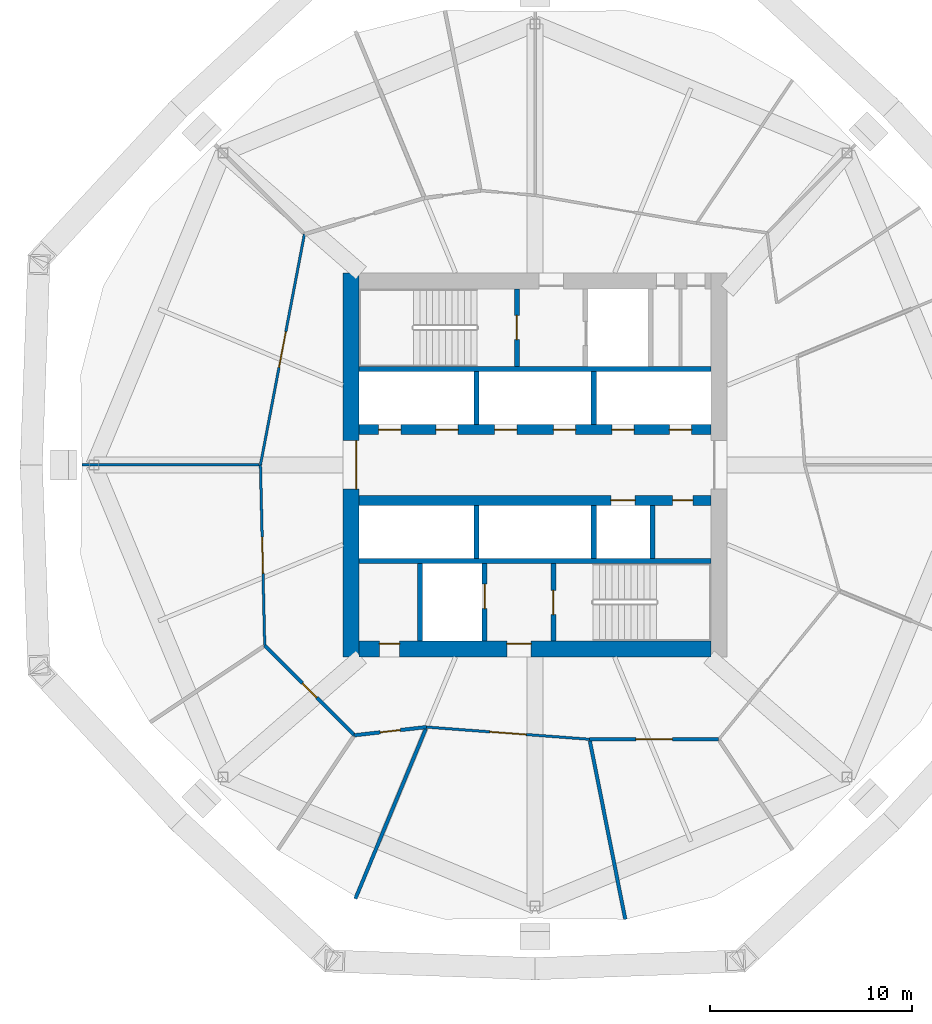
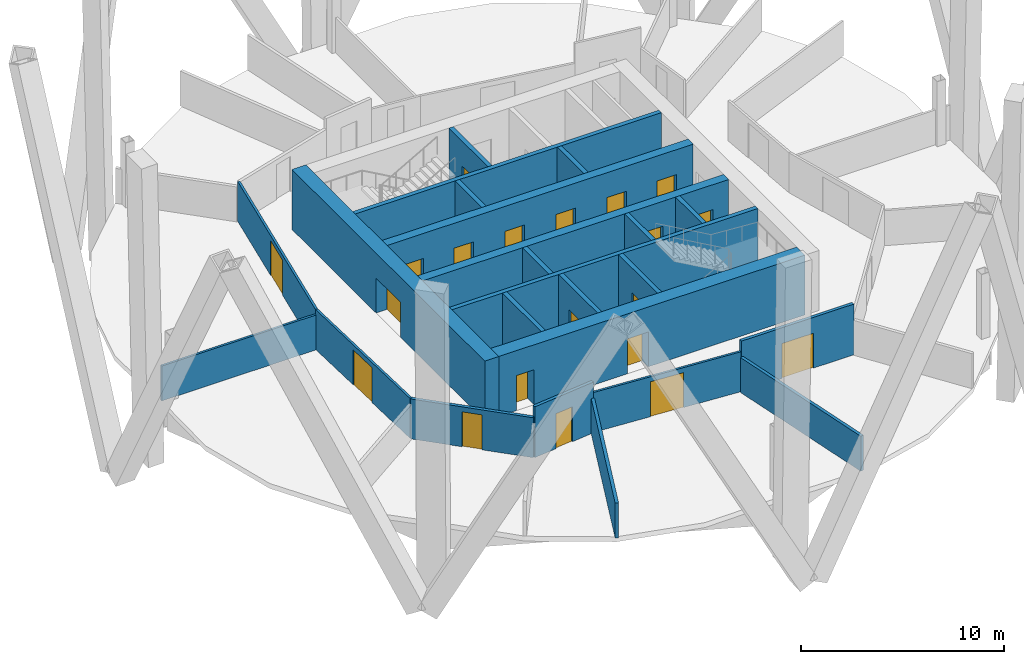
# One storey, part 4 of 10: 24 walls, 20 doors, 20 openings.
"""IFC4 building model written with IfcOpenShell, lengths in metres."""

import ifcopenshell
import ifcopenshell.guid

model = None  # the IFC model being written
_history = None  # IfcOwnerHistory: only IFC2X3 demands one
_inside = {}  # id of a spatial element -> (the spatial element, [elements in it])
_under = {}  # id of a project, library or spatial element -> (it, [spatial elements below it])
_declared = {}  # id of a project -> (the project, [libraries it declares])
_typed = {}  # id of a type object -> (the type object, [elements of that type])
_made_of = {}  # id of a material, layer set ... -> (it, [elements and type objects made of it])


def new_model(schema):
    """Start an empty IFC model of exactly this schema.

    Asked for "IFC4X3", IfcOpenShell would pick the latest addendum, in which some entities
    have other attributes; the version numbers below select the first issue.
    IFC2X3 requires an IfcOwnerHistory on every rooted entity: one is made here for all.
    """
    global model, _history
    if schema == "IFC4X3":
        model = ifcopenshell.file(schema_version=(4, 3, 0, 0))
    else:
        model = ifcopenshell.file(schema=schema)
    _inside.clear()
    _under.clear()
    _declared.clear()
    _typed.clear()
    _made_of.clear()
    _history = None
    if model.schema == "IFC2X3":
        org = make("IfcOrganization", Name="unknown")
        user = make(
            "IfcPersonAndOrganization",
            ThePerson=make("IfcPerson", FamilyName="unknown"),
            TheOrganization=org,
        )
        app = make(
            "IfcApplication",
            ApplicationDeveloper=org,
            Version="unknown",
            ApplicationFullName="unknown",
            ApplicationIdentifier="unknown",
        )
        _history = make(
            "IfcOwnerHistory",
            OwningUser=user,
            OwningApplication=app,
            ChangeAction="ADDED",
            CreationDate=0,
        )
    return model


def make(cls, **values):
    """One entity of the class cls with the attributes given. An attribute that is None is left unset."""
    return model.create_entity(
        cls, **{name: value for name, value in values.items() if value is not None}
    )


def rooted(cls, **values):
    """An entity with a GlobalId (a new one), such as an element, a storey or a relation."""
    return make(cls, GlobalId=ifcopenshell.guid.new(), OwnerHistory=_history, **values)


def si_unit(unit_type, name, prefix=None):
    """IfcSIUnit, for example si_unit("LENGTHUNIT", "METRE", prefix="MILLI")."""
    return make("IfcSIUnit", UnitType=unit_type, Prefix=prefix, Name=name)


def assignment(units):
    """IfcUnitAssignment: the units of a project."""
    return None if units is None else make("IfcUnitAssignment", Units=units)


def point(xyz):
    """IfcCartesianPoint."""
    return None if xyz is None else make("IfcCartesianPoint", Coordinates=xyz)


def direction(xyz):
    """IfcDirection."""
    return None if xyz is None else make("IfcDirection", DirectionRatios=xyz)


def frame(location, z_axis=None, x_axis=None):
    """IfcAxis2Placement3D, a coordinate frame: its origin and axes. An axis left out is left unset."""
    return make(
        "IfcAxis2Placement3D",
        Location=point(location),
        Axis=direction(z_axis),
        RefDirection=direction(x_axis),
    )


def frame_2d(location, x_axis=None):
    """IfcAxis2Placement2D, a coordinate frame in the plane: its origin and x axis."""
    return make(
        "IfcAxis2Placement2D", Location=point(location), RefDirection=direction(x_axis)
    )


def origin():
    """The frame at (0, 0, 0) with its axes left unset."""
    return frame((0.0, 0.0, 0.0))


def place(relative_to, where):
    """IfcLocalPlacement: puts the frame where relative to a parent placement (None: the world)."""
    return make(
        "IfcLocalPlacement", PlacementRelTo=relative_to, RelativePlacement=where
    )


def context(
    kind, dimensions, precision=None, world=None, true_north=None, identifier=None
):
    """IfcGeometricRepresentationContext, for example the 3D "Model" context."""
    return make(
        "IfcGeometricRepresentationContext",
        ContextIdentifier=identifier,
        ContextType=kind,
        CoordinateSpaceDimension=dimensions,
        Precision=precision,
        WorldCoordinateSystem=world,
        TrueNorth=true_north,
    )


def subcontext(parent, identifier, kind, view, scale=None):
    """IfcGeometricRepresentationSubContext, for example "Body" below "Model"."""
    return make(
        "IfcGeometricRepresentationSubContext",
        ContextIdentifier=identifier,
        ContextType=kind,
        ParentContext=parent,
        TargetScale=scale,
        TargetView=view,
    )


def project(units=None, contexts=None):
    """IfcProject with its units and contexts."""
    return rooted(
        "IfcProject",
        Name="project",
        RepresentationContexts=contexts,
        UnitsInContext=assignment(units),
    )


def spatial(cls, under=None, at=None, **own):
    """A site, building, storey or space (cls), placed at a placement, below another one or the project."""
    s = rooted(cls, ObjectPlacement=at, **own)
    if under is not None:
        _under.setdefault(under.id(), (under, []))[1].append(s)
    return s


def profile(cls, at=None, kind="AREA", **sizes):
    """A parametric profile (cls). Its sizes go by their IFC names, for example OverallWidth=200.0."""
    return make(cls, ProfileType=kind, Position=at, **sizes)


def rectangle(**sizes):
    """IfcRectangleProfileDef."""
    return profile("IfcRectangleProfileDef", **sizes)


def extrude(swept, where, along, depth):
    """IfcExtrudedAreaSolid: the profile swept, set in the frame where, extruded along a direction by depth."""
    return make(
        "IfcExtrudedAreaSolid",
        SweptArea=swept,
        Position=where,
        ExtrudedDirection=direction(along),
        Depth=depth,
    )


def shape(context_of_items, identifier, shape_type, items):
    """IfcShapeRepresentation: the items that make up one representation, for example the "Body"."""
    return make(
        "IfcShapeRepresentation",
        ContextOfItems=context_of_items,
        RepresentationIdentifier=identifier,
        RepresentationType=shape_type,
        Items=items,
    )


def material(Name=None, Category=None):
    """IfcMaterial."""
    return make("IfcMaterial", Name=Name, Category=Category)


def layer(
    of_material, thickness, ventilated=None, Name=None, Category=None, Priority=None
):
    """IfcMaterialLayer: one layer of a wall or slab, of a material (None: an air gap)."""
    return make(
        "IfcMaterialLayer",
        Material=of_material,
        LayerThickness=thickness,
        IsVentilated=ventilated,
        Name=Name,
        Category=Category,
        Priority=Priority,
    )


def layer_set(layers, Name=None):
    """IfcMaterialLayerSet."""
    return make("IfcMaterialLayerSet", MaterialLayers=layers, LayerSetName=Name)


def made_of(thing, what):
    """Note that an element or type object is made of a material, layer set ...; save() writes the relation."""
    if what is not None:
        _made_of.setdefault(what.id(), (what, []))[1].append(thing)
    return thing


def type_object(cls, material=None, **own):
    """A type object (cls), such as IfcWallType, which elements share."""
    return made_of(rooted(cls, **own), material)


def element(
    cls,
    number,
    at=None,
    inside=None,
    cuts=None,
    type_object=None,
    material=None,
    context=None,
    identifier="Body",
    shape_type=None,
    held_by="IfcProductDefinitionShape",
    body=None,
    shapes=None,
    **own,
):
    """One element of the class cls, such as IfcWall. Its Tag is "e" and its number.

    at: its placement. inside: the storey or other place that contains it. cuts: it is an
    opening in that element (IfcRelVoidsElement). A single representation is given by context,
    identifier, shape_type and body (its items); several are given by shapes. held_by: the class
    of the entity that holds the representations. save() writes the other relations.
    """
    e = rooted(cls, Tag="e%d" % number, ObjectPlacement=at, **own)
    if body is not None:
        shapes = [shape(context, identifier, shape_type, body)]
    if shapes is not None:
        e.Representation = make(held_by, Representations=shapes)
    if inside is not None:
        _inside.setdefault(inside.id(), (inside, []))[1].append(e)
    if cuts is not None:
        rooted(
            "IfcRelVoidsElement", RelatingBuildingElement=cuts, RelatedOpeningElement=e
        )
    if type_object is not None:
        _typed.setdefault(type_object.id(), (type_object, []))[1].append(e)
    return made_of(e, material)


def fill(opening, filler):
    """IfcRelFillsElement: the door or window that sits in an opening."""
    return rooted(
        "IfcRelFillsElement",
        RelatingOpeningElement=opening,
        RelatedBuildingElement=filler,
    )


def aggregate(whole, parts):
    """IfcRelAggregates: a whole, such as a stair, and the parts it consists of."""
    return rooted("IfcRelAggregates", RelatingObject=whole, RelatedObjects=parts)


def save(model, path):
    """Write the relations noted so far, then the file.

    IfcRelAggregates (storeys below a building ...), IfcRelContainedInSpatialStructure (elements
    in a storey), IfcRelDefinesByType, IfcRelAssociatesMaterial and IfcRelDeclares: one each for
    every whole, place, type object, material and project.
    """
    for whole, parts in _under.values():
        aggregate(whole, parts)
    for where, things in _inside.values():
        rooted(
            "IfcRelContainedInSpatialStructure",
            RelatedElements=things,
            RelatingStructure=where,
        )
    for kind, things in _typed.values():
        rooted("IfcRelDefinesByType", RelatedObjects=things, RelatingType=kind)
    for what, things in _made_of.values():
        rooted("IfcRelAssociatesMaterial", RelatedObjects=things, RelatingMaterial=what)
    for by, libraries in _declared.values():
        rooted("IfcRelDeclares", RelatingContext=by, RelatedDefinitions=libraries)
    model.write(path)


model = new_model("IFC4")

# Units and contexts
model_context = context("Model", 3, precision=1e-05, world=origin(), true_north=direction((0.0, 1.0)))
body_context = subcontext(model_context, "Body", "Model", "MODEL_VIEW")
ifc_project = project(units=[si_unit("LENGTHUNIT", "METRE"), si_unit("AREAUNIT", "SQUARE_METRE"), si_unit("VOLUMEUNIT", "CUBIC_METRE"), si_unit("PLANEANGLEUNIT", "RADIAN"), si_unit("MASSUNIT", "GRAM", prefix="KILO")], contexts=[model_context])

# Site, building, storey
site_placement = place(None, origin())
site = spatial("IfcSite", under=ifc_project, at=site_placement, CompositionType="ELEMENT")
building_placement = place(site_placement, origin())
building = spatial("IfcBuilding", under=site, at=building_placement, Name="Ogive Gate Towers", CompositionType="ELEMENT")
storey_placement = place(building_placement, frame((0.0, 0.0, 36.300048828125)))
storey = spatial("IfcBuildingStorey", under=building, at=storey_placement, Name="L07", CompositionType="ELEMENT", Elevation=36.300048828125)

# Walls
ifc_material_1 = material(Name="Gypsum board acoustic partition")
ifc_layer_1 = layer(ifc_material_1, 0.175048828125)
ifc_layer_set_1 = layer_set([ifc_layer_1], Name="Acoustic partition 175")
wall_type_1 = type_object("IfcWallType", Name="Acoustic partition 175", PredefinedType="PARTITIONING", material=ifc_layer_set_1)
wall_1_placement = place(storey_placement, frame((-44.885986328125, -21.452880859375, 0.0), z_axis=(0.0, 0.0, 1.0), x_axis=(0.382679495808, 0.923881163077, 0.0)))
element("IfcWall", 1, at=wall_1_placement, inside=storey, type_object=wall_type_1, Name="Partition T1-L07-013", PredefinedType="PARTITIONING", context=body_context, shape_type="SweptSolid", body=[
    extrude(rectangle(XDim=9.10205078125, YDim=0.175048828125, at=frame_2d((4.551025390625, 0.0))), origin(), (0.0, 0.0, 1.0), 2.099853515625),
])
wall_2_placement = place(storey_placement, frame((-31.538330078125, -22.470947265625, 0.0), z_axis=(0.0, 0.0, 1.0), x_axis=(-0.194737431918, 0.980855408615, 0.0)))
element("IfcWall", 2, at=wall_2_placement, inside=storey, type_object=wall_type_1, Name="Partition T1-L07-014", PredefinedType="PARTITIONING", context=body_context, shape_type="SweptSolid", body=[
    extrude(rectangle(XDim=8.991455078125, YDim=0.175048828125, at=frame_2d((4.49560546875, 0.0))), origin(), (0.0, 0.0, 1.0), 2.099853515625),
])

# Wall, opening, door
wall_3_placement = place(storey_placement, frame((-49.367431640625, -8.9384765625, 0.0), z_axis=(0.0, 0.0, 1.0), x_axis=(0.707106781187, -0.707106781187, 0.0)))
wall_3 = element("IfcWall", 3, at=wall_3_placement, inside=storey, type_object=wall_type_1, Name="Partition T1-L07-025", PredefinedType="PARTITIONING", context=body_context, shape_type="SweptSolid", body=[
    extrude(rectangle(XDim=6.263427734375, YDim=0.175048828125, at=frame_2d((3.1318359375, 0.0))), origin(), (0.0, 0.0, 1.0), 2.39990234375),
])
opening_1_placement = place(wall_3_placement, frame((2.632080078125, 0.0, 0.0)))
opening_1 = element("IfcOpeningElement", 4, at=opening_1_placement, cuts=wall_3, Name="Opening T1-L07-D09", PredefinedType="OPENING", context=body_context, shape_type="SweptSolid", body=[
    extrude(rectangle(XDim=1.0, YDim=2.10009765625, at=frame_2d((0.5, 1.050048828125))), frame((0.0, 0.09765625, 0.0), z_axis=(0.0, -1.0, 0.0), x_axis=(1.0, 0.0, 0.0)), (0.0, 0.0, 1.0), 0.195068359375),
])
ifc_material_2 = material(Name="Timber door", Category="wood")
door_type_1 = type_object("IfcDoorType", Name="Door 1000", OperationType="NOTDEFINED", PredefinedType="DOOR", material=ifc_material_2)
door_1_placement = place(opening_1_placement, origin())
door_1 = element("IfcDoor", 5, at=door_1_placement, inside=storey, type_object=door_type_1, Name="Door T1-L07-D09", OperationType="SINGLE_SWING_RIGHT", OverallHeight=2.10009765625, OverallWidth=1.0, PredefinedType="DOOR", context=body_context, shape_type="SweptSolid", body=[
    extrude(rectangle(XDim=1.0, YDim=2.10009765625, at=frame_2d((0.5, 1.050048828125))), frame((0.0, 0.02490234375, 0.0), z_axis=(0.0, -1.0, 0.0), x_axis=(1.0, 0.0, 0.0)), (0.0, 0.0, 1.0), 0.050048828125),
])
fill(opening_1, door_1)

wall_4_placement = place(storey_placement, frame((-44.9384765625, -13.367431640625, 0.0), z_axis=(0.0, 0.0, 1.0), x_axis=(0.993637621277, 0.11262449815, 0.0)))
wall_4 = element("IfcWall", 6, at=wall_4_placement, inside=storey, type_object=wall_type_1, Name="Partition T1-L07-026", PredefinedType="PARTITIONING", context=body_context, shape_type="SweptSolid", body=[
    extrude(rectangle(XDim=3.592041015625, YDim=0.175048828125, at=frame_2d((1.7958984375, 0.0))), origin(), (0.0, 0.0, 1.0), 3.050048828125),
])
opening_2_placement = place(wall_4_placement, frame((1.2958984375, 0.0, 0.0)))
opening_2 = element("IfcOpeningElement", 7, at=opening_2_placement, cuts=wall_4, Name="Opening T1-L07-D10", PredefinedType="OPENING", context=body_context, shape_type="SweptSolid", body=[
    extrude(rectangle(XDim=1.0, YDim=2.10009765625, at=frame_2d((0.5, 1.050048828125))), frame((0.0, 0.09765625, 0.0), z_axis=(0.0, -1.0, 0.0), x_axis=(1.0, 0.0, 0.0)), (0.0, 0.0, 1.0), 0.195068359375),
])
door_2_placement = place(opening_2_placement, origin())
door_2 = element("IfcDoor", 8, at=door_2_placement, inside=storey, type_object=door_type_1, Name="Door T1-L07-D10", OperationType="SINGLE_SWING_LEFT", OverallHeight=2.10009765625, OverallWidth=1.0, PredefinedType="DOOR", context=body_context, shape_type="SweptSolid", body=[
    extrude(rectangle(XDim=1.0, YDim=2.10009765625, at=frame_2d((0.5, 1.050048828125))), frame((0.0, 0.02490234375, 0.0), z_axis=(0.0, -1.0, 0.0), x_axis=(1.0, 0.0, 0.0)), (0.0, 0.0, 1.0), 0.050048828125),
])
fill(opening_2, door_2)

wall_5_placement = place(storey_placement, frame((-33.306396484375, -13.56591796875, 0.0), z_axis=(0.0, 0.0, 1.0), x_axis=(0.999998944011, -0.00145326449, 0.0)))
wall_5 = element("IfcWall", 9, at=wall_5_placement, inside=storey, type_object=wall_type_1, Name="Partition T1-L07-028", PredefinedType="PARTITIONING", context=body_context, shape_type="SweptSolid", body=[
    extrude(rectangle(XDim=6.3837890625, YDim=0.175048828125, at=frame_2d((3.19189453125, 0.0))), origin(), (0.0, 0.0, 1.0), 3.050048828125),
])
opening_3_placement = place(wall_5_placement, frame((2.2919921875, 0.0, 0.0)))
opening_3 = element("IfcOpeningElement", 10, at=opening_3_placement, cuts=wall_5, Name="Opening T1-L07-D12", PredefinedType="OPENING", context=body_context, shape_type="SweptSolid", body=[
    extrude(rectangle(XDim=1.800048828125, YDim=2.10009765625, at=frame_2d((0.89990234375, 1.050048828125))), frame((0.0, 0.09765625, 0.0), z_axis=(0.0, -1.0, 0.0), x_axis=(1.0, 0.0, 0.0)), (0.0, 0.0, 1.0), 0.195068359375),
])
door_type_2 = type_object("IfcDoorType", Name="Door pair 1800", OperationType="NOTDEFINED", PredefinedType="DOOR", material=ifc_material_2)
door_3_placement = place(opening_3_placement, origin())
door_3 = element("IfcDoor", 11, at=door_3_placement, inside=storey, type_object=door_type_2, Name="Door T1-L07-D12", OperationType="DOUBLE_DOOR_DOUBLE_SWING", OverallHeight=2.10009765625, OverallWidth=1.800048828125, PredefinedType="DOOR", context=body_context, shape_type="SweptSolid", body=[
    extrude(rectangle(XDim=1.800048828125, YDim=2.10009765625, at=frame_2d((0.89990234375, 1.050048828125))), frame((0.0, 0.02490234375, 0.0), z_axis=(0.0, -1.0, 0.0), x_axis=(1.0, 0.0, 0.0)), (0.0, 0.0, 1.0), 0.050048828125),
])
fill(opening_3, door_3)

# Wall, openings, doors
ifc_material_3 = material(Name="Concrete C60/75", Category="concrete")
ifc_layer_2 = layer(ifc_material_3, 0.800048828125)
ifc_layer_set_2 = layer_set([ifc_layer_2], Name="Core wall 800 mm")
wall_type_2 = type_object("IfcWallType", Name="Core wall 800 mm", PredefinedType="SHEAR", material=ifc_layer_set_2)
wall_6_placement = place(storey_placement, frame((-44.699951171875, -9.10009765625, 0.0), z_axis=(0.0, 0.0, 1.0), x_axis=(1.0, 0.0, 0.0)))
wall_6 = element("IfcWall", 12, at=wall_6_placement, inside=storey, type_object=wall_type_2, Name="T1 L07 Core wall 800 mm", PredefinedType="SHEAR", context=body_context, shape_type="SweptSolid", body=[
    extrude(rectangle(XDim=17.39990234375, YDim=0.800048828125, at=frame_2d((8.699951171875, 0.0))), origin(), (0.0, 0.0, 1.0), 3.599853515625),
])
opening_4_placement = place(wall_6_placement, frame((7.300048828125, 0.0, 0.0)))
opening_4 = element("IfcOpeningElement", 13, at=opening_4_placement, cuts=wall_6, Name="Opening KD-T1-L07-16", PredefinedType="OPENING", context=body_context, shape_type="SweptSolid", body=[
    extrude(rectangle(XDim=1.199951171875, YDim=2.10009765625, at=frame_2d((0.60009765625, 1.050048828125))), frame((0.0, 0.41015625, 0.0), z_axis=(0.0, -1.0, 0.0), x_axis=(1.0, 0.0, 0.0)), (0.0, 0.0, 1.0), 0.820068359375),
])
opening_5_placement = place(wall_6_placement, frame((1.0, 0.0, 0.0)))
opening_5 = element("IfcOpeningElement", 14, at=opening_5_placement, cuts=wall_6, Name="Opening KD-T1-L07-19", PredefinedType="OPENING", context=body_context, shape_type="SweptSolid", body=[
    extrude(rectangle(XDim=1.0, YDim=2.10009765625, at=frame_2d((0.5, 1.050048828125))), frame((0.0, 0.41015625, 0.0), z_axis=(0.0, -1.0, 0.0), x_axis=(1.0, 0.0, 0.0)), (0.0, 0.0, 1.0), 0.820068359375),
])
door_type_3 = type_object("IfcDoorType", Name="Accessible WC door 1000 x 2100", OperationType="NOTDEFINED", PredefinedType="DOOR", material=ifc_material_2)
door_4_placement = place(opening_5_placement, origin())
door_4 = element("IfcDoor", 15, at=door_4_placement, inside=storey, type_object=door_type_3, Name="T1 L07 Core door", OperationType="SINGLE_SWING_RIGHT", OverallHeight=2.10009765625, OverallWidth=1.0, PredefinedType="DOOR", context=body_context, shape_type="SweptSolid", body=[
    extrude(rectangle(XDim=1.0, YDim=2.10009765625, at=frame_2d((0.5, 1.050048828125))), frame((0.0, 0.27490234375, 0.0), z_axis=(0.0, -1.0, 0.0), x_axis=(1.0, 0.0, 0.0)), (0.0, 0.0, 1.0), 0.050048828125),
])
fill(opening_5, door_4)
ifc_material_4 = material(Name="Steel fire door", Category="steel")
door_type_4 = type_object("IfcDoorType", Name="Core door FD60S 1200 x 2100", OperationType="NOTDEFINED", PredefinedType="DOOR", material=ifc_material_4)
door_5_placement = place(opening_4_placement, origin())
door_5 = element("IfcDoor", 16, at=door_5_placement, inside=storey, type_object=door_type_4, Name="T1 L07 Fire-fighting lobby door", OperationType="SINGLE_SWING_LEFT", OverallHeight=2.10009765625, OverallWidth=1.199951171875, PredefinedType="DOOR", context=body_context, shape_type="SweptSolid", body=[
    extrude(rectangle(XDim=1.199951171875, YDim=2.10009765625, at=frame_2d((0.60009765625, 1.050048828125))), frame((0.0, 0.27490234375, 0.0), z_axis=(0.0, -1.0, 0.0), x_axis=(1.0, 0.0, 0.0)), (0.0, 0.0, 1.0), 0.050048828125),
])
fill(opening_4, door_5)

# Wall, opening, door
wall_7_placement = place(storey_placement, frame((-45.10009765625, -9.5, 0.0), z_axis=(0.0, 0.0, 1.0), x_axis=(0.0, 1.0, 0.0)))
wall_7 = element("IfcWall", 17, at=wall_7_placement, inside=storey, type_object=wall_type_2, Name="T1 L07 Core wall 800 mm", PredefinedType="SHEAR", context=body_context, shape_type="SweptSolid", body=[
    extrude(rectangle(XDim=19.0, YDim=0.800048828125, at=frame_2d((9.5, 0.0))), origin(), (0.0, 0.0, 1.0), 3.599853515625),
])
opening_6_placement = place(wall_7_placement, frame((8.300048828125, 0.0, 0.0)))
opening_6 = element("IfcOpeningElement", 18, at=opening_6_placement, cuts=wall_7, Name="Opening KD-T1-L07-01", PredefinedType="OPENING", context=body_context, shape_type="SweptSolid", body=[
    extrude(rectangle(XDim=2.39990234375, YDim=2.10009765625, at=frame_2d((1.199951171875, 1.050048828125))), frame((0.0, 0.41015625, 0.0), z_axis=(0.0, -1.0, 0.0), x_axis=(1.0, 0.0, 0.0)), (0.0, 0.0, 1.0), 0.820068359375),
])
door_type_5 = type_object("IfcDoorType", Name="Core double door FD60S 2400 x 2100", OperationType="DOUBLE_DOOR_SINGLE_SWING", PredefinedType="DOOR", material=ifc_material_4)
door_6_placement = place(opening_6_placement, origin())
door_6 = element("IfcDoor", 19, at=door_6_placement, inside=storey, type_object=door_type_5, Name="T1 L07 Core door double", OperationType="DOUBLE_DOOR_SINGLE_SWING", OverallHeight=2.10009765625, OverallWidth=2.39990234375, PredefinedType="DOOR", context=body_context, shape_type="SweptSolid", body=[
    extrude(rectangle(XDim=2.39990234375, YDim=2.10009765625, at=frame_2d((1.199951171875, 1.050048828125))), frame((0.0, -0.22509765625, 0.0), z_axis=(0.0, -1.0, 0.0), x_axis=(1.0, 0.0, 0.0)), (0.0, 0.0, 1.0), 0.050048828125),
])
fill(opening_6, door_6)

# Wall
ifc_material_5 = material(Name="Gypsum board partition")
ifc_layer_3 = layer(ifc_material_5, 0.125)
ifc_layer_set_3 = layer_set([ifc_layer_3], Name="Partition 125")
wall_type_3 = type_object("IfcWallType", Name="Partition 125", PredefinedType="PARTITIONING", material=ifc_layer_set_3)
wall_8_placement = place(storey_placement, frame((-58.408935546875, 0.0, 0.0), z_axis=(0.0, 0.0, 1.0), x_axis=(1.0, 0.0, 0.0)))
element("IfcWall", 20, at=wall_8_placement, inside=storey, type_object=wall_type_3, Name="Partition T1-L07-010", PredefinedType="PARTITIONING", context=body_context, shape_type="SweptSolid", body=[
    extrude(rectangle(XDim=8.766357421875, YDim=0.125, at=frame_2d((4.38330078125, 0.0))), origin(), (0.0, 0.0, 1.0), 2.099853515625),
])

# Wall, opening, door
wall_9_placement = place(storey_placement, frame((-47.40576171875, 11.40576171875, 0.0), z_axis=(0.0, 0.0, 1.0), x_axis=(-0.187260900708, -0.982310213256, 0.0)))
wall_9 = element("IfcWall", 21, at=wall_9_placement, inside=storey, type_object=wall_type_3, Name="Partition T1-L07-023", PredefinedType="PARTITIONING", context=body_context, shape_type="SweptSolid", body=[
    extrude(rectangle(XDim=11.611083984375, YDim=0.125, at=frame_2d((5.8056640625, 0.0))), origin(), (0.0, 0.0, 1.0), 2.39990234375),
])
opening_7_placement = place(wall_9_placement, frame((4.906005859375, 0.0, 0.0)))
opening_7 = element("IfcOpeningElement", 22, at=opening_7_placement, cuts=wall_9, Name="Opening T1-L07-D07", PredefinedType="OPENING", context=body_context, shape_type="SweptSolid", body=[
    extrude(rectangle(XDim=1.800048828125, YDim=2.10009765625, at=frame_2d((0.89990234375, 1.050048828125))), frame((0.0, 0.072509765625, 0.0), z_axis=(0.0, -1.0, 0.0), x_axis=(1.0, 0.0, 0.0)), (0.0, 0.0, 1.0), 0.14501953125),
])
door_7_placement = place(opening_7_placement, origin())
door_7 = element("IfcDoor", 23, at=door_7_placement, inside=storey, type_object=door_type_2, Name="Door T1-L07-D07", OperationType="DOUBLE_DOOR_DOUBLE_SWING", OverallHeight=2.10009765625, OverallWidth=1.800048828125, PredefinedType="DOOR", context=body_context, shape_type="SweptSolid", body=[
    extrude(rectangle(XDim=1.800048828125, YDim=2.10009765625, at=frame_2d((0.89990234375, 1.050048828125))), frame((0.0, 0.02490234375, 0.0), z_axis=(0.0, -1.0, 0.0), x_axis=(1.0, 0.0, 0.0)), (0.0, 0.0, 1.0), 0.050048828125),
])
fill(opening_7, door_7)

wall_10_placement = place(storey_placement, frame((-49.580078125, 0.0, 0.0), z_axis=(0.0, 0.0, 1.0), x_axis=(0.023783284904, -0.999717137674, 0.0)))
wall_10 = element("IfcWall", 24, at=wall_10_placement, inside=storey, type_object=wall_type_3, Name="Partition T1-L07-024", PredefinedType="PARTITIONING", context=body_context, shape_type="SweptSolid", body=[
    extrude(rectangle(XDim=8.94091796875, YDim=0.125, at=frame_2d((4.470458984375, 0.0))), origin(), (0.0, 0.0, 1.0), 2.39990234375),
])
opening_8_placement = place(wall_10_placement, frame((3.570068359375, 0.0, 0.0)))
opening_8 = element("IfcOpeningElement", 25, at=opening_8_placement, cuts=wall_10, Name="Opening T1-L07-D08", PredefinedType="OPENING", context=body_context, shape_type="SweptSolid", body=[
    extrude(rectangle(XDim=1.800048828125, YDim=2.10009765625, at=frame_2d((0.89990234375, 1.050048828125))), frame((0.0, 0.072509765625, 0.0), z_axis=(0.0, -1.0, 0.0), x_axis=(1.0, 0.0, 0.0)), (0.0, 0.0, 1.0), 0.14501953125),
])
door_8_placement = place(opening_8_placement, origin())
door_8 = element("IfcDoor", 26, at=door_8_placement, inside=storey, type_object=door_type_2, Name="Door T1-L07-D08", OperationType="DOUBLE_DOOR_DOUBLE_SWING", OverallHeight=2.10009765625, OverallWidth=1.800048828125, PredefinedType="DOOR", context=body_context, shape_type="SweptSolid", body=[
    extrude(rectangle(XDim=1.800048828125, YDim=2.10009765625, at=frame_2d((0.89990234375, 1.050048828125))), frame((0.0, 0.02490234375, 0.0), z_axis=(0.0, -1.0, 0.0), x_axis=(1.0, 0.0, 0.0)), (0.0, 0.0, 1.0), 0.050048828125),
])
fill(opening_8, door_8)

wall_11_placement = place(storey_placement, frame((-41.369384765625, -12.962890625, 0.0), z_axis=(0.0, 0.0, 1.0), x_axis=(0.997214939079, -0.074581266261, 0.0)))
wall_11 = element("IfcWall", 27, at=wall_11_placement, inside=storey, type_object=wall_type_3, Name="Partition T1-L07-027", PredefinedType="PARTITIONING", context=body_context, shape_type="SweptSolid", body=[
    extrude(rectangle(XDim=8.08544921875, YDim=0.125, at=frame_2d((4.042724609375, 0.0))), origin(), (0.0, 0.0, 1.0), 2.39990234375),
])
opening_9_placement = place(wall_11_placement, frame((3.14306640625, 0.0, 0.0)))
opening_9 = element("IfcOpeningElement", 28, at=opening_9_placement, cuts=wall_11, Name="Opening T1-L07-D11", PredefinedType="OPENING", context=body_context, shape_type="SweptSolid", body=[
    extrude(rectangle(XDim=1.800048828125, YDim=2.10009765625, at=frame_2d((0.89990234375, 1.050048828125))), frame((0.0, 0.072509765625, 0.0), z_axis=(0.0, -1.0, 0.0), x_axis=(1.0, 0.0, 0.0)), (0.0, 0.0, 1.0), 0.14501953125),
])
door_9_placement = place(opening_9_placement, origin())
door_9 = element("IfcDoor", 29, at=door_9_placement, inside=storey, type_object=door_type_2, Name="Door T1-L07-D11", OperationType="DOUBLE_DOOR_DOUBLE_SWING", OverallHeight=2.10009765625, OverallWidth=1.800048828125, PredefinedType="DOOR", context=body_context, shape_type="SweptSolid", body=[
    extrude(rectangle(XDim=1.800048828125, YDim=2.10009765625, at=frame_2d((0.89990234375, 1.050048828125))), frame((0.0, 0.02490234375, 0.0), z_axis=(0.0, -1.0, 0.0), x_axis=(1.0, 0.0, 0.0)), (0.0, 0.0, 1.0), 0.050048828125),
])
fill(opening_9, door_9)

# Walls
ifc_layer_4 = layer(ifc_material_3, 0.25)
ifc_layer_set_4 = layer_set([ifc_layer_4], Name="Shaft wall 250 mm")
wall_type_4 = type_object("IfcWallType", Name="Shaft wall 250 mm", PredefinedType="SHEAR", material=ifc_layer_set_4)
for number, where, z_axis, x_axis, name in (
    (30, (-44.699951171875, -4.75, 0.0), (0.0, 0.0, 1.0), (1.0, 0.0, 0.0), "T1 L07 Shaft wall 250 mm"),
    (31, (-44.699951171875, 4.75, 0.0), (0.0, 0.0, 1.0), (1.0, 0.0, 0.0), "T1 L07 Shaft wall 250 mm"),
):
    element("IfcWall", number, at=place(storey_placement, frame(where, z_axis=z_axis, x_axis=x_axis)), inside=storey, type_object=wall_type_4, Name=name, PredefinedType="SHEAR", context=body_context, shape_type="SweptSolid", body=[
        extrude(rectangle(XDim=17.39990234375, YDim=0.25, at=frame_2d((8.699951171875, 0.0))), origin(), (0.0, 0.0, 1.0), 3.599853515625),
    ])
wall_12_placement = place(storey_placement, frame((-41.699951171875, -8.699951171875, 0.0), z_axis=(0.0, 0.0, 1.0), x_axis=(0.0, 1.0, 0.0)))
element("IfcWall", 32, at=wall_12_placement, inside=storey, type_object=wall_type_4, Name="T1 L07 Shaft wall 250 mm", PredefinedType="SHEAR", context=body_context, shape_type="SweptSolid", body=[
    extrude(rectangle(XDim=3.824951171875, YDim=0.25, at=frame_2d((1.91259765625, 0.0))), origin(), (0.0, 0.0, 1.0), 3.599853515625),
])
for number, where, z_axis, x_axis, name in (
    (33, (-38.89990234375, -4.625, 0.0), (0.0, 0.0, 1.0), (0.0, 1.0, 0.0), "T1 L07 Shaft wall 250 mm"),
    (34, (-38.89990234375, 2.0, 0.0), (0.0, 0.0, 1.0), (0.0, 1.0, 0.0), "T1 L07 Shaft wall 250 mm"),
):
    element("IfcWall", number, at=place(storey_placement, frame(where, z_axis=z_axis, x_axis=x_axis)), inside=storey, type_object=wall_type_4, Name=name, PredefinedType="SHEAR", context=body_context, shape_type="SweptSolid", body=[
        extrude(rectangle(XDim=2.625, YDim=0.25, at=frame_2d((1.3125, 0.0))), origin(), (0.0, 0.0, 1.0), 3.599853515625),
    ])

# Wall, opening, door
wall_13_placement = place(storey_placement, frame((-38.5, -8.699951171875, 0.0), z_axis=(0.0, 0.0, 1.0), x_axis=(0.0, 1.0, 0.0)))
wall_13 = element("IfcWall", 35, at=wall_13_placement, inside=storey, type_object=wall_type_4, Name="T1 L07 Shaft wall 250 mm", PredefinedType="SHEAR", context=body_context, shape_type="SweptSolid", body=[
    extrude(rectangle(XDim=3.824951171875, YDim=0.25, at=frame_2d((1.91259765625, 0.0))), origin(), (0.0, 0.0, 1.0), 3.599853515625),
])
opening_10_placement = place(wall_13_placement, frame((1.60009765625, 0.0, 0.0)))
opening_10 = element("IfcOpeningElement", 36, at=opening_10_placement, cuts=wall_13, Name="Opening LD-T1-L07-11", PredefinedType="OPENING", context=body_context, shape_type="SweptSolid", body=[
    extrude(rectangle(XDim=1.199951171875, YDim=2.10009765625, at=frame_2d((0.60009765625, 1.050048828125))), frame((0.0, 0.135009765625, 0.0), z_axis=(0.0, -1.0, 0.0), x_axis=(1.0, 0.0, 0.0)), (0.0, 0.0, 1.0), 0.27001953125),
])
ifc_material_6 = material(Name="Stainless steel landing door", Category="steel")
door_type_6 = type_object("IfcDoorType", Name="Landing door 1200 x 2100", OperationType="SLIDING_TO_LEFT", PredefinedType="DOOR", material=ifc_material_6)
door_10_placement = place(opening_10_placement, origin())
door_10 = element("IfcDoor", 37, at=door_10_placement, inside=storey, type_object=door_type_6, Name="T1 L07 Lift landing door FF2", OperationType="SLIDING_TO_LEFT", OverallHeight=2.10009765625, OverallWidth=1.199951171875, PredefinedType="DOOR", context=body_context, shape_type="SweptSolid", body=[
    extrude(rectangle(XDim=1.199951171875, YDim=2.10009765625, at=frame_2d((0.60009765625, 1.050048828125))), frame((0.0, 0.02490234375, 0.0), z_axis=(0.0, -1.0, 0.0), x_axis=(1.0, 0.0, 0.0)), (0.0, 0.0, 1.0), 0.050048828125),
])
fill(opening_10, door_10)

wall_14_placement = place(storey_placement, frame((-36.89990234375, 4.875, 0.0), z_axis=(0.0, 0.0, 1.0), x_axis=(0.0, 1.0, 0.0)))
wall_14 = element("IfcWall", 38, at=wall_14_placement, inside=storey, type_object=wall_type_4, Name="T1 L07 Shaft wall 250 mm", PredefinedType="SHEAR", context=body_context, shape_type="SweptSolid", body=[
    extrude(rectangle(XDim=3.824951171875, YDim=0.25, at=frame_2d((1.91259765625, 0.0))), origin(), (0.0, 0.0, 1.0), 3.599853515625),
])
opening_11_placement = place(wall_14_placement, frame((1.324951171875, 0.0, 0.0)))
opening_11 = element("IfcOpeningElement", 39, at=opening_11_placement, cuts=wall_14, Name="Opening KD-T1-L07-13", PredefinedType="OPENING", context=body_context, shape_type="SweptSolid", body=[
    extrude(rectangle(XDim=1.199951171875, YDim=2.10009765625, at=frame_2d((0.60009765625, 1.050048828125))), frame((0.0, 0.135009765625, 0.0), z_axis=(0.0, -1.0, 0.0), x_axis=(1.0, 0.0, 0.0)), (0.0, 0.0, 1.0), 0.27001953125),
])
door_11_placement = place(opening_11_placement, origin())
door_11 = element("IfcDoor", 40, at=door_11_placement, inside=storey, type_object=door_type_4, Name="T1 L07 Stair door", OperationType="SINGLE_SWING_RIGHT", OverallHeight=2.10009765625, OverallWidth=1.199951171875, PredefinedType="DOOR", context=body_context, shape_type="SweptSolid", body=[
    extrude(rectangle(XDim=1.199951171875, YDim=2.10009765625, at=frame_2d((0.60009765625, 1.050048828125))), frame((0.0, 0.02490234375, 0.0), z_axis=(0.0, -1.0, 0.0), x_axis=(1.0, 0.0, 0.0)), (0.0, 0.0, 1.0), 0.050048828125),
])
fill(opening_11, door_11)

wall_15_placement = place(storey_placement, frame((-35.10009765625, -8.699951171875, 0.0), z_axis=(0.0, 0.0, 1.0), x_axis=(0.0, 1.0, 0.0)))
wall_15 = element("IfcWall", 41, at=wall_15_placement, inside=storey, type_object=wall_type_4, Name="T1 L07 Shaft wall 250 mm", PredefinedType="SHEAR", context=body_context, shape_type="SweptSolid", body=[
    extrude(rectangle(XDim=3.824951171875, YDim=0.25, at=frame_2d((1.91259765625, 0.0))), origin(), (0.0, 0.0, 1.0), 3.599853515625),
])
opening_12_placement = place(wall_15_placement, frame((1.300048828125, 0.0, 0.0)))
opening_12 = element("IfcOpeningElement", 42, at=opening_12_placement, cuts=wall_15, Name="Opening KD-T1-L07-14", PredefinedType="OPENING", context=body_context, shape_type="SweptSolid", body=[
    extrude(rectangle(XDim=1.199951171875, YDim=2.10009765625, at=frame_2d((0.60009765625, 1.050048828125))), frame((0.0, 0.135009765625, 0.0), z_axis=(0.0, -1.0, 0.0), x_axis=(1.0, 0.0, 0.0)), (0.0, 0.0, 1.0), 0.27001953125),
])
door_12_placement = place(opening_12_placement, origin())
door_12 = element("IfcDoor", 43, at=door_12_placement, inside=storey, type_object=door_type_4, Name="T1 L07 Stair door", OperationType="SINGLE_SWING_LEFT", OverallHeight=2.10009765625, OverallWidth=1.199951171875, PredefinedType="DOOR", context=body_context, shape_type="SweptSolid", body=[
    extrude(rectangle(XDim=1.199951171875, YDim=2.10009765625, at=frame_2d((0.60009765625, 1.050048828125))), frame((0.0, 0.02490234375, 0.0), z_axis=(0.0, -1.0, 0.0), x_axis=(1.0, 0.0, 0.0)), (0.0, 0.0, 1.0), 0.050048828125),
])
fill(opening_12, door_12)

# Walls
for number, where, z_axis, x_axis, name in (
    (44, (-33.10009765625, -4.625, 0.0), (0.0, 0.0, 1.0), (0.0, 1.0, 0.0), "T1 L07 Shaft wall 250 mm"),
    (45, (-33.10009765625, 2.0, 0.0), (0.0, 0.0, 1.0), (0.0, 1.0, 0.0), "T1 L07 Shaft wall 250 mm"),
    (46, (-30.199951171875, -4.625, 0.0), (0.0, 0.0, 1.0), (0.0, 1.0, 0.0), "T1 L07 Shaft wall 250 mm"),
):
    element("IfcWall", number, at=place(storey_placement, frame(where, z_axis=z_axis, x_axis=x_axis)), inside=storey, type_object=wall_type_4, Name=name, PredefinedType="SHEAR", context=body_context, shape_type="SweptSolid", body=[
        extrude(rectangle(XDim=2.625, YDim=0.25, at=frame_2d((1.3125, 0.0))), origin(), (0.0, 0.0, 1.0), 3.599853515625),
    ])

# Wall, openings, doors
ifc_layer_5 = layer(ifc_material_3, 0.5)
ifc_layer_set_5 = layer_set([ifc_layer_5], Name="Spine wall 500 mm")
wall_type_5 = type_object("IfcWallType", Name="Spine wall 500 mm", PredefinedType="SHEAR", material=ifc_layer_set_5)
wall_16_placement = place(storey_placement, frame((-44.699951171875, -1.75, 0.0), z_axis=(0.0, 0.0, 1.0), x_axis=(1.0, 0.0, 0.0)))
wall_16 = element("IfcWall", 47, at=wall_16_placement, inside=storey, type_object=wall_type_5, Name="T1 L07 Spine wall 500 mm", PredefinedType="SHEAR", context=body_context, shape_type="SweptSolid", body=[
    extrude(rectangle(XDim=17.39990234375, YDim=0.5, at=frame_2d((8.699951171875, 0.0))), origin(), (0.0, 0.0, 1.0), 3.599853515625),
])
opening_13_placement = place(wall_16_placement, frame((12.449951171875, 0.0, 0.0)))
opening_13 = element("IfcOpeningElement", 48, at=opening_13_placement, cuts=wall_16, Name="Opening LD-T1-L07-09", PredefinedType="OPENING", context=body_context, shape_type="SweptSolid", body=[
    extrude(rectangle(XDim=1.199951171875, YDim=2.10009765625, at=frame_2d((0.60009765625, 1.050048828125))), frame((0.0, 0.260009765625, 0.0), z_axis=(0.0, -1.0, 0.0), x_axis=(1.0, 0.0, 0.0)), (0.0, 0.0, 1.0), 0.52001953125),
])
opening_14_placement = place(wall_16_placement, frame((15.5, 0.0, 0.0)))
opening_14 = element("IfcOpeningElement", 49, at=opening_14_placement, cuts=wall_16, Name="Opening KD-T1-L07-12", PredefinedType="OPENING", context=body_context, shape_type="SweptSolid", body=[
    extrude(rectangle(XDim=1.0, YDim=2.10009765625, at=frame_2d((0.5, 1.050048828125))), frame((0.0, 0.260009765625, 0.0), z_axis=(0.0, -1.0, 0.0), x_axis=(1.0, 0.0, 0.0)), (0.0, 0.0, 1.0), 0.52001953125),
])
door_type_7 = type_object("IfcDoorType", Name="Core door FD60S 1000 x 2100", OperationType="NOTDEFINED", PredefinedType="DOOR", material=ifc_material_4)
door_13_placement = place(opening_14_placement, origin())
door_13 = element("IfcDoor", 50, at=door_13_placement, inside=storey, type_object=door_type_7, Name="T1 L07 Core door", OperationType="SINGLE_SWING_LEFT", OverallHeight=2.10009765625, OverallWidth=1.0, PredefinedType="DOOR", context=body_context, shape_type="SweptSolid", body=[
    extrude(rectangle(XDim=1.0, YDim=2.10009765625, at=frame_2d((0.5, 1.050048828125))), frame((0.0, 0.02490234375, 0.0), z_axis=(0.0, -1.0, 0.0), x_axis=(1.0, 0.0, 0.0)), (0.0, 0.0, 1.0), 0.050048828125),
])
fill(opening_14, door_13)
door_14_placement = place(opening_13_placement, origin())
door_14 = element("IfcDoor", 51, at=door_14_placement, inside=storey, type_object=door_type_6, Name="T1 L07 Lift landing door SVC", OperationType="SLIDING_TO_LEFT", OverallHeight=2.10009765625, OverallWidth=1.199951171875, PredefinedType="DOOR", context=body_context, shape_type="SweptSolid", body=[
    extrude(rectangle(XDim=1.199951171875, YDim=2.10009765625, at=frame_2d((0.60009765625, 1.050048828125))), frame((0.0, 0.02490234375, 0.0), z_axis=(0.0, -1.0, 0.0), x_axis=(1.0, 0.0, 0.0)), (0.0, 0.0, 1.0), 0.050048828125),
])
fill(opening_13, door_14)

wall_17_placement = place(storey_placement, frame((-44.699951171875, 1.75, 0.0), z_axis=(0.0, 0.0, 1.0), x_axis=(1.0, 0.0, 0.0)))
wall_17 = element("IfcWall", 52, at=wall_17_placement, inside=storey, type_object=wall_type_5, Name="T1 L07 Spine wall 500 mm", PredefinedType="SHEAR", context=body_context, shape_type="SweptSolid", body=[
    extrude(rectangle(XDim=17.39990234375, YDim=0.5, at=frame_2d((8.699951171875, 0.0))), origin(), (0.0, 0.0, 1.0), 3.599853515625),
])
opening_15_placement = place(wall_17_placement, frame((0.96240234375, 0.0, 0.0)))
opening_15 = element("IfcOpeningElement", 53, at=opening_15_placement, cuts=wall_17, Name="Opening LD-T1-L07-03", PredefinedType="OPENING", context=body_context, shape_type="SweptSolid", body=[
    extrude(rectangle(XDim=1.10009765625, YDim=2.10009765625, at=frame_2d((0.550048828125, 1.050048828125))), frame((0.0, 0.260009765625, 0.0), z_axis=(0.0, -1.0, 0.0), x_axis=(1.0, 0.0, 0.0)), (0.0, 0.0, 1.0), 0.52001953125),
])
opening_16_placement = place(wall_17_placement, frame((3.800048828125, 0.0, 0.0)))
opening_16 = element("IfcOpeningElement", 54, at=opening_16_placement, cuts=wall_17, Name="Opening LD-T1-L07-04", PredefinedType="OPENING", context=body_context, shape_type="SweptSolid", body=[
    extrude(rectangle(XDim=1.10009765625, YDim=2.10009765625, at=frame_2d((0.550048828125, 1.050048828125))), frame((0.0, 0.260009765625, 0.0), z_axis=(0.0, -1.0, 0.0), x_axis=(1.0, 0.0, 0.0)), (0.0, 0.0, 1.0), 0.52001953125),
])
opening_17_placement = place(wall_17_placement, frame((6.699951171875, 0.0, 0.0)))
opening_17 = element("IfcOpeningElement", 55, at=opening_17_placement, cuts=wall_17, Name="Opening LD-T1-L07-05", PredefinedType="OPENING", context=body_context, shape_type="SweptSolid", body=[
    extrude(rectangle(XDim=1.10009765625, YDim=2.10009765625, at=frame_2d((0.550048828125, 1.050048828125))), frame((0.0, 0.260009765625, 0.0), z_axis=(0.0, -1.0, 0.0), x_axis=(1.0, 0.0, 0.0)), (0.0, 0.0, 1.0), 0.52001953125),
])
opening_18_placement = place(wall_17_placement, frame((9.60009765625, 0.0, 0.0)))
opening_18 = element("IfcOpeningElement", 56, at=opening_18_placement, cuts=wall_17, Name="Opening LD-T1-L07-06", PredefinedType="OPENING", context=body_context, shape_type="SweptSolid", body=[
    extrude(rectangle(XDim=1.10009765625, YDim=2.10009765625, at=frame_2d((0.550048828125, 1.050048828125))), frame((0.0, 0.260009765625, 0.0), z_axis=(0.0, -1.0, 0.0), x_axis=(1.0, 0.0, 0.0)), (0.0, 0.0, 1.0), 0.52001953125),
])
opening_19_placement = place(wall_17_placement, frame((12.5, 0.0, 0.0)))
opening_19 = element("IfcOpeningElement", 57, at=opening_19_placement, cuts=wall_17, Name="Opening LD-T1-L07-07", PredefinedType="OPENING", context=body_context, shape_type="SweptSolid", body=[
    extrude(rectangle(XDim=1.10009765625, YDim=2.10009765625, at=frame_2d((0.550048828125, 1.050048828125))), frame((0.0, 0.260009765625, 0.0), z_axis=(0.0, -1.0, 0.0), x_axis=(1.0, 0.0, 0.0)), (0.0, 0.0, 1.0), 0.52001953125),
])
opening_20_placement = place(wall_17_placement, frame((15.33740234375, 0.0, 0.0)))
opening_20 = element("IfcOpeningElement", 58, at=opening_20_placement, cuts=wall_17, Name="Opening LD-T1-L07-08", PredefinedType="OPENING", context=body_context, shape_type="SweptSolid", body=[
    extrude(rectangle(XDim=1.10009765625, YDim=2.10009765625, at=frame_2d((0.550048828125, 1.050048828125))), frame((0.0, 0.260009765625, 0.0), z_axis=(0.0, -1.0, 0.0), x_axis=(1.0, 0.0, 0.0)), (0.0, 0.0, 1.0), 0.52001953125),
])
door_type_8 = type_object("IfcDoorType", Name="Landing door 1100 x 2100", OperationType="SLIDING_TO_LEFT", PredefinedType="DOOR", material=ifc_material_6)
door_15_placement = place(opening_15_placement, origin())
door_15 = element("IfcDoor", 59, at=door_15_placement, inside=storey, type_object=door_type_8, Name="T1 L07 Lift landing door A1", OperationType="SLIDING_TO_LEFT", OverallHeight=2.10009765625, OverallWidth=1.10009765625, PredefinedType="DOOR", context=body_context, shape_type="SweptSolid", body=[
    extrude(rectangle(XDim=1.10009765625, YDim=2.10009765625, at=frame_2d((0.550048828125, 1.050048828125))), frame((0.0, 0.02490234375, 0.0), z_axis=(0.0, -1.0, 0.0), x_axis=(1.0, 0.0, 0.0)), (0.0, 0.0, 1.0), 0.050048828125),
])
fill(opening_15, door_15)
door_16_placement = place(opening_16_placement, origin())
door_16 = element("IfcDoor", 60, at=door_16_placement, inside=storey, type_object=door_type_8, Name="T1 L07 Lift landing door A2", OperationType="SLIDING_TO_LEFT", OverallHeight=2.10009765625, OverallWidth=1.10009765625, PredefinedType="DOOR", context=body_context, shape_type="SweptSolid", body=[
    extrude(rectangle(XDim=1.10009765625, YDim=2.10009765625, at=frame_2d((0.550048828125, 1.050048828125))), frame((0.0, 0.02490234375, 0.0), z_axis=(0.0, -1.0, 0.0), x_axis=(1.0, 0.0, 0.0)), (0.0, 0.0, 1.0), 0.050048828125),
])
fill(opening_16, door_16)
door_17_placement = place(opening_17_placement, origin())
door_17 = element("IfcDoor", 61, at=door_17_placement, inside=storey, type_object=door_type_8, Name="T1 L07 Lift landing door A3", OperationType="SLIDING_TO_LEFT", OverallHeight=2.10009765625, OverallWidth=1.10009765625, PredefinedType="DOOR", context=body_context, shape_type="SweptSolid", body=[
    extrude(rectangle(XDim=1.10009765625, YDim=2.10009765625, at=frame_2d((0.550048828125, 1.050048828125))), frame((0.0, 0.02490234375, 0.0), z_axis=(0.0, -1.0, 0.0), x_axis=(1.0, 0.0, 0.0)), (0.0, 0.0, 1.0), 0.050048828125),
])
fill(opening_17, door_17)
door_18_placement = place(opening_18_placement, origin())
door_18 = element("IfcDoor", 62, at=door_18_placement, inside=storey, type_object=door_type_8, Name="T1 L07 Lift landing door A4", OperationType="SLIDING_TO_LEFT", OverallHeight=2.10009765625, OverallWidth=1.10009765625, PredefinedType="DOOR", context=body_context, shape_type="SweptSolid", body=[
    extrude(rectangle(XDim=1.10009765625, YDim=2.10009765625, at=frame_2d((0.550048828125, 1.050048828125))), frame((0.0, 0.02490234375, 0.0), z_axis=(0.0, -1.0, 0.0), x_axis=(1.0, 0.0, 0.0)), (0.0, 0.0, 1.0), 0.050048828125),
])
fill(opening_18, door_18)
door_19_placement = place(opening_19_placement, origin())
door_19 = element("IfcDoor", 63, at=door_19_placement, inside=storey, type_object=door_type_8, Name="T1 L07 Lift landing door A5", OperationType="SLIDING_TO_LEFT", OverallHeight=2.10009765625, OverallWidth=1.10009765625, PredefinedType="DOOR", context=body_context, shape_type="SweptSolid", body=[
    extrude(rectangle(XDim=1.10009765625, YDim=2.10009765625, at=frame_2d((0.550048828125, 1.050048828125))), frame((0.0, 0.02490234375, 0.0), z_axis=(0.0, -1.0, 0.0), x_axis=(1.0, 0.0, 0.0)), (0.0, 0.0, 1.0), 0.050048828125),
])
fill(opening_19, door_19)
door_20_placement = place(opening_20_placement, origin())
door_20 = element("IfcDoor", 64, at=door_20_placement, inside=storey, type_object=door_type_8, Name="T1 L07 Lift landing door A6", OperationType="SLIDING_TO_LEFT", OverallHeight=2.10009765625, OverallWidth=1.10009765625, PredefinedType="DOOR", context=body_context, shape_type="SweptSolid", body=[
    extrude(rectangle(XDim=1.10009765625, YDim=2.10009765625, at=frame_2d((0.550048828125, 1.050048828125))), frame((0.0, 0.02490234375, 0.0), z_axis=(0.0, -1.0, 0.0), x_axis=(1.0, 0.0, 0.0)), (0.0, 0.0, 1.0), 0.050048828125),
])
fill(opening_20, door_20)

save(model, "model.ifc")
